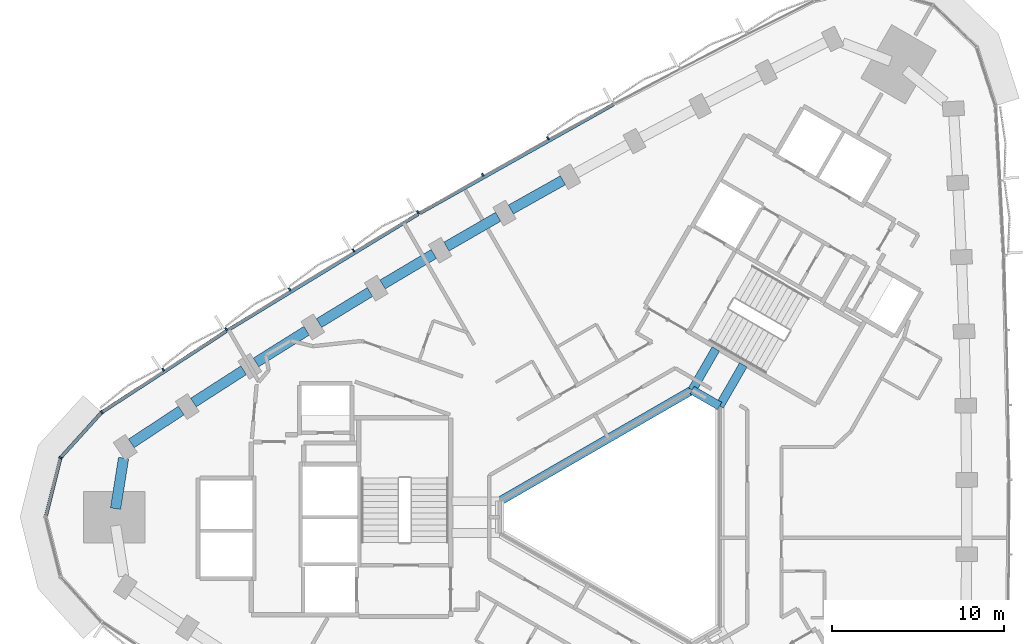
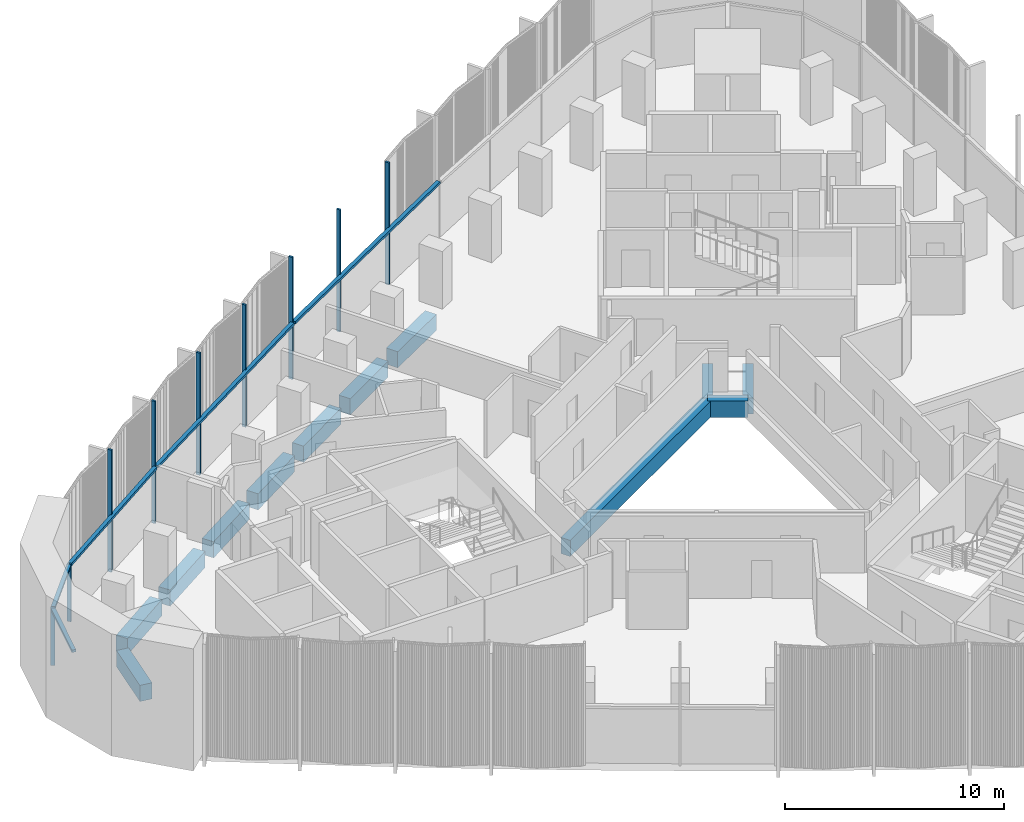
# One storey, part 4 of 14: 14 members, 12 beams, 1 element without a shape of its own.
"""IFC4 building model written with IfcOpenShell, lengths in metres."""

from ifc_helpers import new_model, si_unit, direction, frame, origin, origin_2d, place, context, subcontext, project, spatial, rectangle, extrude, material, material_profile, profile_set, type_object, element, aggregate, save


model = new_model("IFC4")

# Units and contexts
model_context = context("Model", 3, precision=1e-05, world=origin(), true_north=direction((0.0, 1.0)))
body_context = subcontext(model_context, "Body", "Model", "MODEL_VIEW")
ifc_project = project(units=[si_unit("LENGTHUNIT", "METRE"), si_unit("AREAUNIT", "SQUARE_METRE"), si_unit("VOLUMEUNIT", "CUBIC_METRE"), si_unit("PLANEANGLEUNIT", "RADIAN"), si_unit("MASSUNIT", "GRAM", prefix="KILO")], contexts=[model_context])

# Site, building, storey
site_placement = place(None, origin())
site = spatial("IfcSite", under=ifc_project, at=site_placement, CompositionType="ELEMENT")
building_placement = place(site_placement, origin())
building = spatial("IfcBuilding", under=site, at=building_placement, Name="Tamra Quay Hotel Tower", CompositionType="ELEMENT")
storey_placement = place(building_placement, frame((0.0, 0.0, 150.39990234375)))
storey = spatial("IfcBuildingStorey", under=building, at=storey_placement, Name="L37", CompositionType="ELEMENT", Elevation=150.39990234375)

# Beams
ifc_material_1 = material(Name="Concrete M60", Category="concrete")
ifc_material_profile_1 = material_profile(ifc_material_1, rectangle(XDim=0.5, YDim=0.89990234375, at=origin_2d()), Name="ATRIUM EDGE BEAM RC 500x900")
ifc_profile_set_1 = profile_set([ifc_material_profile_1], Name="Concrete M60")
beam_type_1 = type_object("IfcBeamType", Name="ATRIUM EDGE BEAM RC 500x900", PredefinedType="BEAM", material=ifc_profile_set_1)
beam_1_placement = place(storey_placement, frame((-8.0, 0.923828125, -0.849853515625), z_axis=(0.866024942741, 0.500000798549, 0.0), x_axis=(-0.500000798549, 0.866024942741, 0.0)))
element("IfcBeam", 1, at=beam_1_placement, inside=storey, type_object=beam_type_1, Name="BM-AB4-L37", PredefinedType="BEAM", context=body_context, shape_type="SweptSolid", body=[
    extrude(rectangle(XDim=0.5, YDim=0.89990234375, at=origin_2d()), origin(), (0.0, 0.0, 1.0), 12.9326171875),
])
beam_2_placement = place(storey_placement, frame((3.199951171875, 7.39013671875, -0.849853515625), z_axis=(0.86602275259, -0.500004591975, 0.0), x_axis=(0.500004591975, 0.86602275259, 0.0)))
element("IfcBeam", 2, at=beam_2_placement, inside=storey, type_object=beam_type_1, Name="BM-AB5-L37", PredefinedType="BEAM", context=body_context, shape_type="SweptSolid", body=[
    extrude(rectangle(XDim=0.5, YDim=0.89990234375, at=origin_2d()), origin(), (0.0, 0.0, 1.0), 1.84765625),
])
ifc_material_profile_2 = material_profile(ifc_material_1, rectangle(XDim=0.5, YDim=0.89990234375, at=origin_2d()), Name="ATRIUM TIE BEAM RC 500x900")
ifc_profile_set_2 = profile_set([ifc_material_profile_2], Name="Concrete M60")
beam_type_2 = type_object("IfcBeamType", Name="ATRIUM TIE BEAM RC 500x900", PredefinedType="BEAM", material=ifc_profile_set_2)
for number, where, z_axis, x_axis, name in (
    (3, (4.800048828125, 6.46630859375, -0.849853515625), (0.500008091576, 0.86602073206, 0.0), (-0.86602073206, 0.500008091576, 0.0), "BM-TIE-0-L37"),
    (4, (3.199951171875, 7.39013671875, -0.849853515625), (0.500008091576, 0.86602073206, 0.0), (-0.86602073206, 0.500008091576, 0.0), "BM-TIE-5-L37"),
):
    element("IfcBeam", number, at=place(storey_placement, frame(where, z_axis=z_axis, x_axis=x_axis)), inside=storey, type_object=beam_type_2, Name=name, PredefinedType="BEAM", context=body_context, shape_type="SweptSolid", body=[
        extrude(rectangle(XDim=0.5, YDim=0.89990234375, at=origin_2d()), origin(), (0.0, 0.0, 1.0), 2.76220703125),
    ])

# Curtain wall, members
ifc_material_2 = material(Name="Aluminium 6063 anodised dark grey", Category="aluminium")
curtain_wall_type = type_object("IfcCurtainWallType", Name="CW2 CURTAIN WALL", PredefinedType="NOTDEFINED", material=ifc_material_2)
curtain_wall_placement = place(storey_placement, origin())
curtain_wall = element("IfcCurtainWall", 5, at=curtain_wall_placement, inside=storey, type_object=curtain_wall_type, Name="CW2 north-west face L37", PredefinedType="NOTDEFINED")
ifc_material_profile_3 = material_profile(ifc_material_2, rectangle(XDim=0.199951171875, YDim=0.10009765625, at=origin_2d()), Name="MULLION 100X200")
ifc_profile_set_3 = profile_set([ifc_material_profile_3], Name="Aluminium 6063 anodised dark grey")
member_type_1 = type_object("IfcMemberType", Name="MULLION CW2 Z3", PredefinedType="MULLION", material=ifc_profile_set_3)
member_1_placement = place(storey_placement, frame((-5.185546875, 22.039306640625, 0.0), z_axis=(0.0, 0.0, 1.0), x_axis=(-0.484394695404, 0.874849575107, 0.0)))
member_1 = element("IfcMember", 6, at=member_1_placement, type_object=member_type_1, Name="CW2 mullion L37.NW.5", PredefinedType="MULLION", context=body_context, shape_type="SweptSolid", body=[
    extrude(rectangle(XDim=0.199951171875, YDim=0.10009765625, at=origin_2d()), origin(), (0.0, 0.0, 1.0), 6.800048828125),
])
member_2_placement = place(storey_placement, frame((-8.98046875, 19.908447265625, 0.0), z_axis=(0.0, 0.0, 1.0), x_axis=(-0.494813499493, 0.86899919489, 0.0)))
member_2 = element("IfcMember", 7, at=member_2_placement, type_object=member_type_1, Name="CW2 mullion L37.NW.6", PredefinedType="MULLION", context=body_context, shape_type="SweptSolid", body=[
    extrude(rectangle(XDim=0.199951171875, YDim=0.10009765625, at=origin_2d()), origin(), (0.0, 0.0, 1.0), 6.800048828125),
])
member_3_placement = place(storey_placement, frame((-12.7509765625, 17.731689453125, 0.0), z_axis=(0.0, 0.0, 1.0), x_axis=(-0.505168628897, 0.863020658141, 0.0)))
member_3 = element("IfcMember", 8, at=member_3_placement, type_object=member_type_1, Name="CW2 mullion L37.NW.7", PredefinedType="MULLION", context=body_context, shape_type="SweptSolid", body=[
    extrude(rectangle(XDim=0.199951171875, YDim=0.10009765625, at=origin_2d()), origin(), (0.0, 0.0, 1.0), 6.800048828125),
])
member_4_placement = place(storey_placement, frame((-16.493896484375, 15.510498046875, 0.0), z_axis=(0.0, 0.0, 1.0), x_axis=(-0.515444608831, 0.856922899231, 0.0)))
member_4 = element("IfcMember", 9, at=member_4_placement, type_object=member_type_1, Name="CW2 mullion L37.NW.8", PredefinedType="MULLION", context=body_context, shape_type="SweptSolid", body=[
    extrude(rectangle(XDim=0.199951171875, YDim=0.10009765625, at=origin_2d()), origin(), (0.0, 0.0, 1.0), 6.800048828125),
])
member_5_placement = place(storey_placement, frame((-20.211181640625, 13.244140625, 0.0), z_axis=(0.0, 0.0, 1.0), x_axis=(-0.525646070237, 0.850703361251, 0.0)))
member_5 = element("IfcMember", 10, at=member_5_placement, type_object=member_type_1, Name="CW2 mullion L37.NW.9", PredefinedType="MULLION", context=body_context, shape_type="SweptSolid", body=[
    extrude(rectangle(XDim=0.199951171875, YDim=0.10009765625, at=origin_2d()), origin(), (0.0, 0.0, 1.0), 6.800048828125),
])
member_6_placement = place(storey_placement, frame((-23.9013671875, 10.93359375, 0.0), z_axis=(0.0, 0.0, 1.0), x_axis=(-0.535760469724, 0.844370013135, 0.0)))
member_6 = element("IfcMember", 11, at=member_6_placement, type_object=member_type_1, Name="CW2 mullion L37.NW.10", PredefinedType="MULLION", context=body_context, shape_type="SweptSolid", body=[
    extrude(rectangle(XDim=0.199951171875, YDim=0.10009765625, at=origin_2d()), origin(), (0.0, 0.0, 1.0), 6.800048828125),
])
member_7_placement = place(storey_placement, frame((-27.562255859375, 8.580078125, 0.0), z_axis=(0.0, 0.0, 1.0), x_axis=(-0.545780333841, 0.83792829478, 0.0)))
member_7 = element("IfcMember", 12, at=member_7_placement, type_object=member_type_1, Name="CW2 mullion L37.NW.11", PredefinedType="MULLION", context=body_context, shape_type="SweptSolid", body=[
    extrude(rectangle(XDim=0.199951171875, YDim=0.10009765625, at=origin_2d()), origin(), (0.0, 0.0, 1.0), 6.800048828125),
])
member_8_placement = place(storey_placement, frame((-31.139892578125, 6.099365234375, 0.0), z_axis=(0.0, 0.0, 1.0), x_axis=(-0.650989203966, 0.759086988638, 0.0)))
member_8 = element("IfcMember", 13, at=member_8_placement, type_object=member_type_1, Name="CW2 mullion L37.NW.12", PredefinedType="MULLION", context=body_context, shape_type="SweptSolid", body=[
    extrude(rectangle(XDim=0.199951171875, YDim=0.10009765625, at=origin_2d()), origin(), (0.0, 0.0, 1.0), 3.2001953125),
])
member_9_placement = place(storey_placement, frame((-33.533935546875, 3.4580078125, 0.0), z_axis=(0.0, 0.0, 1.0), x_axis=(-0.881925145425, 0.47138947577, 0.0)))
member_9 = element("IfcMember", 14, at=member_9_placement, type_object=member_type_1, Name="CW2 mullion L37.NW.13", PredefinedType="MULLION", context=body_context, shape_type="SweptSolid", body=[
    extrude(rectangle(XDim=0.199951171875, YDim=0.10009765625, at=origin_2d()), origin(), (0.0, 0.0, 1.0), 3.2001953125),
])

# Beams
ifc_material_profile_4 = material_profile(ifc_material_1, rectangle(XDim=0.60009765625, YDim=0.89990234375, at=origin_2d()), Name="SPANDREL BEAM RC 600x900")
ifc_profile_set_4 = profile_set([ifc_material_profile_4], Name="Concrete M60")
beam_type_3 = type_object("IfcBeamType", Name="SPANDREL BEAM RC 600x900", PredefinedType="SPANDREL", material=ifc_profile_set_4)
beam_3_placement = place(storey_placement, frame((-4.315185546875, 19.59130859375, -0.849853515625), z_axis=(-0.871956406858, -0.489583521516, 0.0), x_axis=(0.489583521516, -0.871956406858, 0.0)))
element("IfcBeam", 15, at=beam_3_placement, inside=storey, type_object=beam_type_3, Name="BM-SP3-017-L37", PredefinedType="SPANDREL", context=body_context, shape_type="SweptSolid", body=[
    extrude(rectangle(XDim=0.60009765625, YDim=0.89990234375, at=origin_2d()), origin(), (0.0, 0.0, 1.0), 3.47265625),
])
beam_4_placement = place(storey_placement, frame((-8.081787109375, 17.470458984375, -0.849853515625), z_axis=(-0.866032201241, -0.499988226275, 0.0), x_axis=(0.499988226275, -0.866032201241, 0.0)))
element("IfcBeam", 16, at=beam_4_placement, inside=storey, type_object=beam_type_3, Name="BM-SP3-018-L37", PredefinedType="SPANDREL", context=body_context, shape_type="SweptSolid", body=[
    extrude(rectangle(XDim=0.60009765625, YDim=0.89990234375, at=origin_2d()), origin(), (0.0, 0.0, 1.0), 3.47216796875),
])
beam_5_placement = place(storey_placement, frame((-11.822509765625, 15.304931640625, -0.849853515625), z_axis=(-0.859988767784, -0.510312962098, 0.0), x_axis=(0.510312962098, -0.859988767784, 0.0)))
element("IfcBeam", 17, at=beam_5_placement, inside=storey, type_object=beam_type_3, Name="BM-SP3-019-L37", PredefinedType="SPANDREL", context=body_context, shape_type="SweptSolid", body=[
    extrude(rectangle(XDim=0.60009765625, YDim=0.89990234375, at=origin_2d()), origin(), (0.0, 0.0, 1.0), 3.472900390625),
])
for number, where, z_axis, x_axis, name in (
    (18, (-15.53759765625, 13.094482421875, -0.849853515625), (-0.853835813207, -0.520542413339, 0.0), (0.520542413339, -0.853835813207, 0.0), "BM-SP3-020-L37"),
    (19, (-19.225341796875, 10.840087890625, -0.849853515625), (-0.847547681474, -0.530719255, 0.0), (0.530719255, -0.847547681474, 0.0), "BM-SP3-021-L37"),
):
    element("IfcBeam", number, at=place(storey_placement, frame(where, z_axis=z_axis, x_axis=x_axis)), inside=storey, type_object=beam_type_3, Name=name, PredefinedType="SPANDREL", context=body_context, shape_type="SweptSolid", body=[
        extrude(rectangle(XDim=0.60009765625, YDim=0.89990234375, at=origin_2d()), origin(), (0.0, 0.0, 1.0), 3.47216796875),
    ])
beam_6_placement = place(storey_placement, frame((-22.885986328125, 8.5419921875, -0.849853515625), z_axis=(-0.84116020305, -0.540786013878, 0.0), x_axis=(0.540786013878, -0.84116020305, 0.0)))
element("IfcBeam", 20, at=beam_6_placement, inside=storey, type_object=beam_type_3, Name="BM-SP3-022-L37", PredefinedType="SPANDREL", context=body_context, shape_type="SweptSolid", body=[
    extrude(rectangle(XDim=0.60009765625, YDim=0.89990234375, at=origin_2d()), origin(), (0.0, 0.0, 1.0), 3.47314453125),
])
beam_7_placement = place(storey_placement, frame((-26.51953125, 6.199951171875, -0.849853515625), z_axis=(-0.834690851507, -0.55071878705, 0.0), x_axis=(0.55071878705, -0.834690851507, 0.0)))
element("IfcBeam", 21, at=beam_7_placement, inside=storey, type_object=beam_type_3, Name="BM-SP3-023-L37", PredefinedType="SPANDREL", context=body_context, shape_type="SweptSolid", body=[
    extrude(rectangle(XDim=0.60009765625, YDim=0.89990234375, at=origin_2d()), origin(), (0.0, 0.0, 1.0), 3.472412109375),
])
beam_8_placement = place(storey_placement, frame((-29.87060546875, 3.434814453125, -0.849853515625), z_axis=(-0.156337236308, -0.987703735208, 0.0), x_axis=(0.987703735208, -0.156337236308, 0.0)))
element("IfcBeam", 22, at=beam_8_placement, inside=storey, type_object=beam_type_3, Name="BM-SP3-024-L37", PredefinedType="SPANDREL", context=body_context, shape_type="SweptSolid", body=[
    extrude(rectangle(XDim=0.60009765625, YDim=0.89990234375, at=origin_2d()), origin(), (0.0, 0.0, 1.0), 2.97802734375),
])

# Member
ifc_material_profile_5 = material_profile(ifc_material_2, rectangle(XDim=0.199951171875, YDim=0.139892578125, at=origin_2d()), Name="TRANSOM 200X140")
ifc_profile_set_5 = profile_set([ifc_material_profile_5], Name="Aluminium 6063 anodised dark grey")
member_type_2 = type_object("IfcMemberType", Name="TRANSOM CW2 Z3", PredefinedType="USERDEFINED", material=ifc_profile_set_5)
member_10_placement = place(storey_placement, frame((-1.360595703125, 24.013671875, 3.130126953125), z_axis=(-0.871941163172, -0.489610669783, 0.0), x_axis=(0.489610669783, -0.871941163172, 0.0)))
member_10 = element("IfcMember", 23, at=member_10_placement, type_object=member_type_2, Name="CW2 transom L37.NW.4", ObjectType="TRANSOM", PredefinedType="USERDEFINED", context=body_context, shape_type="SweptSolid", body=[
    extrude(rectangle(XDim=0.199951171875, YDim=0.139892578125, at=origin_2d()), origin(), (0.0, 0.0, 1.0), 12.955810546875),
])

member_11_placement = place(storey_placement, frame((-12.743408203125, 17.619873046875, 3.130126953125), z_axis=(-0.853830086981, -0.520551805843, 0.0), x_axis=(0.520551805843, -0.853830086981, 0.0)))
member_11 = element("IfcMember", 24, at=member_11_placement, type_object=member_type_2, Name="CW2 transom L37.NW.7", ObjectType="TRANSOM", PredefinedType="USERDEFINED", context=body_context, shape_type="SweptSolid", body=[
    extrude(rectangle(XDim=0.199951171875, YDim=0.139892578125, at=origin_2d()), origin(), (0.0, 0.0, 1.0), 12.955810546875),
])

member_12_placement = place(storey_placement, frame((-23.889892578125, 10.822021484375, 3.130126953125), z_axis=(-0.837927757603, -0.545781158559, 0.0), x_axis=(0.545781158559, -0.837927757603, 0.0)))
member_12 = element("IfcMember", 25, at=member_12_placement, type_object=member_type_2, Name="CW2 transom L37.NW.10", ObjectType="TRANSOM", PredefinedType="USERDEFINED", context=body_context, shape_type="SweptSolid", body=[
    extrude(rectangle(XDim=0.199951171875, YDim=0.139892578125, at=origin_2d()), origin(), (0.0, 0.0, 1.0), 8.6025390625),
])

member_13_placement = place(storey_placement, frame((-31.17333984375, 6.0625, 3.130126953125), z_axis=(-0.671553275013, -0.740956273217, 0.0), x_axis=(0.740956273217, -0.671553275013, 0.0)))
member_13 = element("IfcMember", 26, at=member_13_placement, type_object=member_type_2, Name="CW2 transom L37.NW.12", ObjectType="TRANSOM", PredefinedType="USERDEFINED", context=body_context, shape_type="SweptSolid", body=[
    extrude(rectangle(XDim=0.199951171875, YDim=0.139892578125, at=origin_2d()), origin(), (0.0, 0.0, 1.0), 3.46484375),
])

member_14_placement = place(storey_placement, frame((-33.5458984375, 3.409423828125, 3.130126953125), z_axis=(-0.243032991535, -0.970018023042, 0.0), x_axis=(0.970018023042, -0.243032991535, 0.0)))
member_14 = element("IfcMember", 27, at=member_14_placement, type_object=member_type_2, Name="CW2 transom L37.NW.13", ObjectType="TRANSOM", PredefinedType="USERDEFINED", context=body_context, shape_type="SweptSolid", body=[
    extrude(rectangle(XDim=0.199951171875, YDim=0.139892578125, at=origin_2d()), origin(), (0.0, 0.0, 1.0), 3.464599609375),
])

aggregate(curtain_wall, [member_10, member_1, member_2, member_3, member_11, member_4, member_5, member_6, member_12, member_7, member_8, member_13, member_9, member_14])

save(model, "model.ifc")
